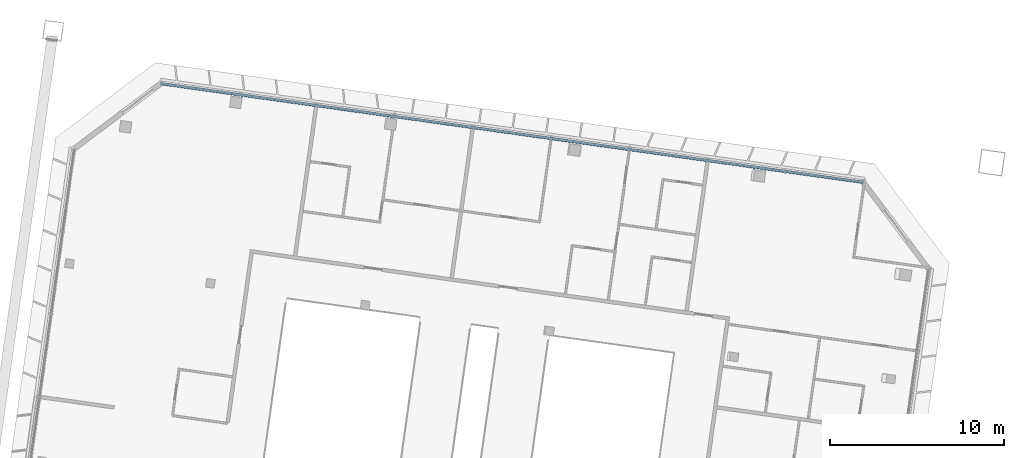
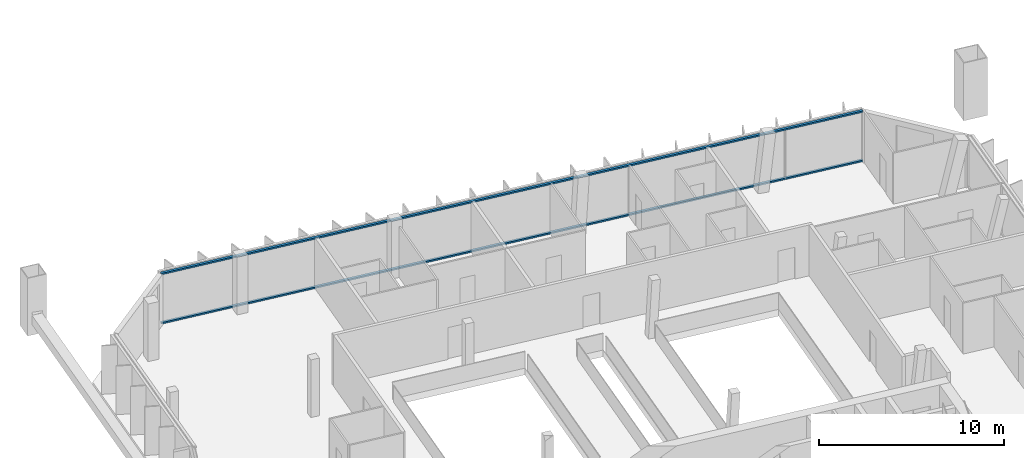
# One storey, part 7 of 26: 2 members, 1 element without a shape of its own.
"""IFC4 building model written with IfcOpenShell, lengths in metres."""

from ifc_helpers import new_model, si_unit, direction, frame, origin, origin_2d, place, context, subcontext, project, spatial, rectangle, extrude, material, material_profile, profile_set, type_object, element, aggregate, save


model = new_model("IFC4")

# Units and contexts
model_context = context("Model", 3, precision=1e-05, world=origin(), true_north=direction((0.0, 1.0)))
body_context = subcontext(model_context, "Body", "Model", "MODEL_VIEW")
ifc_project = project(units=[si_unit("LENGTHUNIT", "METRE"), si_unit("AREAUNIT", "SQUARE_METRE"), si_unit("VOLUMEUNIT", "CUBIC_METRE"), si_unit("PLANEANGLEUNIT", "RADIAN"), si_unit("MASSUNIT", "GRAM", prefix="KILO")], contexts=[model_context])

# Site, building, storey
site_placement = place(None, origin())
site = spatial("IfcSite", under=ifc_project, at=site_placement, CompositionType="ELEMENT")
building_placement = place(site_placement, origin())
building = spatial("IfcBuilding", under=site, at=building_placement, Name="Mirante Cascada Hotel Towers", CompositionType="ELEMENT")
storey_placement = place(building_placement, frame((0.0, 0.0, 216.6)))
storey = spatial("IfcBuildingStorey", under=building, at=storey_placement, Name="L51", CompositionType="ELEMENT", Elevation=216.6)

# Curtain wall, members
ifc_material_1 = material(Name="Aluminium mullion and transom frame with clear laminated glass", Category="aluminium")
curtain_wall_type = type_object("IfcCurtainWallType", Name="Ribbon curtain wall ECW1", PredefinedType="NOTDEFINED", material=ifc_material_1)
curtain_wall_placement = place(storey_placement, origin())
curtain_wall = element("IfcCurtainWall", 1, at=curtain_wall_placement, inside=storey, type_object=curtain_wall_type, Name="Front ribbon wall T1 L51", PredefinedType="NOTDEFINED")
ifc_material_2 = material(Name="Anodised aluminium extrusion", Category="aluminium")
ifc_material_profile = material_profile(ifc_material_2, rectangle(XDim=0.16, YDim=0.1, at=origin_2d()), Name="ECW1 TRANSOM 100x160")
ifc_profile_set = profile_set([ifc_material_profile], Name="Anodised aluminium extrusion")
member_type = type_object("IfcMemberType", Name="ECW1 transom 100x160", PredefinedType="USERDEFINED", material=ifc_profile_set)
member_1_placement = place(storey_placement, frame((-67.4209, 22.2944, 0.05), z_axis=(0.990268, -0.1391736, 0.0), x_axis=(0.1391736, 0.990268, 0.0)))
member_1 = element("IfcMember", 2, at=member_1_placement, type_object=member_type, Name="ECW1 sill transom", ObjectType="TRANSOM", PredefinedType="USERDEFINED", context=body_context, shape_type="SweptSolid", body=[
    extrude(rectangle(XDim=0.16, YDim=0.1, at=origin_2d()), origin(), (0.0, 0.0, 1.0), 40.8713),
])
member_2_placement = place(storey_placement, frame((-67.4209, 22.2944, 3.3), z_axis=(0.990268, -0.1391736, 0.0), x_axis=(0.1391736, 0.990268, 0.0)))
member_2 = element("IfcMember", 3, at=member_2_placement, type_object=member_type, Name="ECW1 head transom", ObjectType="TRANSOM", PredefinedType="USERDEFINED", context=body_context, shape_type="SweptSolid", body=[
    extrude(rectangle(XDim=0.16, YDim=0.1, at=origin_2d()), origin(), (0.0, 0.0, 1.0), 40.8713),
])
aggregate(curtain_wall, [member_1, member_2])

save(model, "model.ifc")
